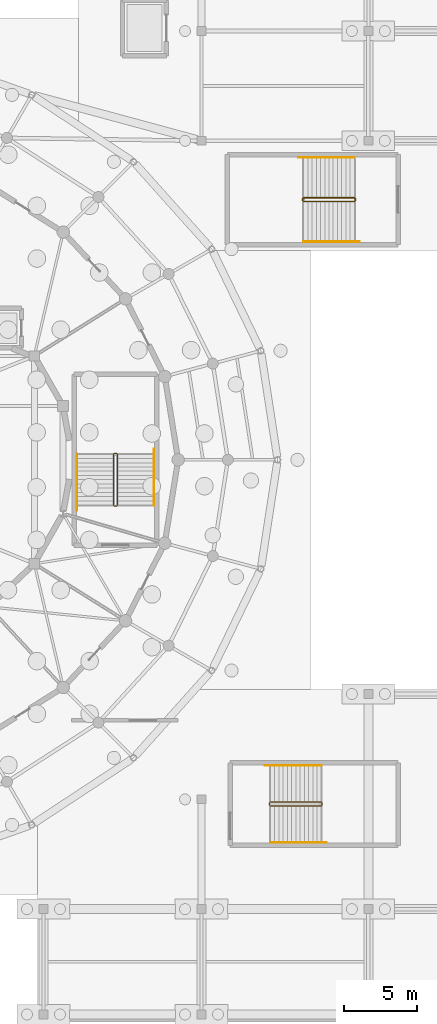
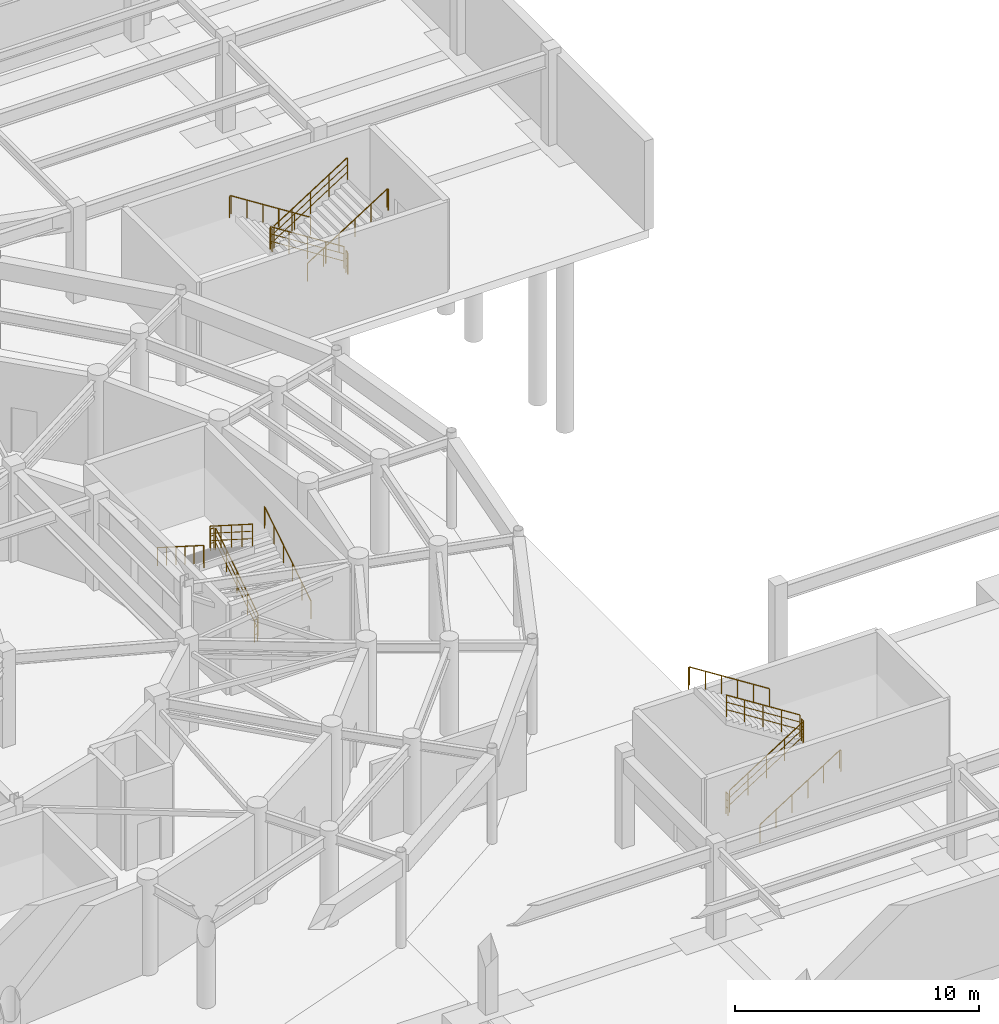
# One storey, part 66 of 68: 18 railings.
"""IFC4 building model written with IfcOpenShell, lengths in metres."""

from ifc_helpers import new_model, si_unit, direction, frame, origin, origin_2d, place, context, subcontext, project, spatial, circle, extrude, material, type_object, element, save


model = new_model("IFC4")

# Units and contexts
model_context = context("Model", 3, precision=1e-05, world=origin(), true_north=direction((0.0, 1.0)))
body_context = subcontext(model_context, "Body", "Model", "MODEL_VIEW")
ifc_project = project(units=[si_unit("LENGTHUNIT", "METRE"), si_unit("AREAUNIT", "SQUARE_METRE"), si_unit("VOLUMEUNIT", "CUBIC_METRE"), si_unit("PLANEANGLEUNIT", "RADIAN"), si_unit("MASSUNIT", "GRAM", prefix="KILO")], contexts=[model_context])

# Site, building, storey
site_placement = place(None, origin())
site = spatial("IfcSite", under=ifc_project, at=site_placement, CompositionType="ELEMENT")
building_placement = place(site_placement, origin())
building = spatial("IfcBuilding", under=site, at=building_placement, Name="Cinderbank Siding Concert Hall", CompositionType="ELEMENT")
storey_placement = place(building_placement, frame((0.0, 0.0, -4.800048828125)))
storey = spatial("IfcBuildingStorey", under=building, at=storey_placement, Name="B1", CompositionType="ELEMENT", Elevation=-4.800048828125)

# Railings
ifc_material = material(Name="Structural steel AS/NZS 3679.1 Grade 350 (340 MPa)", Category="steel")
railing_type_1 = type_object("IfcRailingType", Name="STG-01 Stair Well Guardrail 1120mm", PredefinedType="GUARDRAIL", material=ifc_material)
railing_1_placement = place(storey_placement, frame((144.64990234375, 40.89990234375, 0.1845703125)))
element("IfcRailing", 1, at=railing_1_placement, inside=storey, type_object=railing_type_1, Name="B1 ST-03 stair guard 1", PredefinedType="GUARDRAIL", context=body_context, shape_type="SweptSolid", body=[
    extrude(circle(Radius=0.02392578125, at=origin_2d()), frame((0.0, 0.0, 1.09619140625), z_axis=(0.0, 0.843546938479, 0.53705545578), x_axis=(-1.0, 0.0, 0.0)), (0.0, 0.0, 1.0), 4.12548828125),
    extrude(circle(Radius=0.01611328125, at=origin_2d()), frame((0.0, 0.0, 0.36962890625), z_axis=(0.0, 0.843546938479, 0.53705545578), x_axis=(-1.0, 0.0, 0.0)), (0.0, 0.0, 1.0), 4.12548828125),
    extrude(circle(Radius=0.01611328125, at=origin_2d()), frame((0.0, 0.0, 0.7392578125), z_axis=(0.0, 0.843546938479, 0.53705545578), x_axis=(-1.0, 0.0, 0.0)), (0.0, 0.0, 1.0), 4.12548828125),
    extrude(circle(Radius=0.02099609375, at=origin_2d()), origin(), (0.0, 0.0, 1.0), 1.072021484375),
    extrude(circle(Radius=0.02099609375, at=origin_2d()), frame((0.0, 0.8701171875, 0.553955078125)), (0.0, 0.0, 1.0), 1.072021484375),
    extrude(circle(Radius=0.02099609375, at=origin_2d()), frame((0.0, 1.739990234375, 1.10791015625)), (0.0, 0.0, 1.0), 1.072021484375),
    extrude(circle(Radius=0.02099609375, at=origin_2d()), frame((0.0, 2.60986328125, 1.66162109375)), (0.0, 0.0, 1.0), 1.072021484375),
    extrude(circle(Radius=0.02099609375, at=origin_2d()), frame((0.0, 3.47998046875, 2.215576171875)), (0.0, 0.0, 1.0), 1.072021484375),
])
railing_2_placement = place(storey_placement, frame((144.60009765625, 44.429931640625, 2.400146484375)))
element("IfcRailing", 2, at=railing_2_placement, inside=storey, type_object=railing_type_1, Name="B1 ST-03 stair guard 2", PredefinedType="GUARDRAIL", context=body_context, shape_type="SweptSolid", body=[
    extrude(circle(Radius=0.02392578125, at=origin_2d()), frame((0.0, 0.0, 1.09619140625), z_axis=(-1.0, 0.0, 0.0), x_axis=(0.0, -1.0, 0.0)), (0.0, 0.0, 1.0), 0.16015625),
    extrude(circle(Radius=0.01611328125, at=origin_2d()), frame((0.0, 0.0, 0.36962890625), z_axis=(-1.0, 0.0, 0.0), x_axis=(0.0, -1.0, 0.0)), (0.0, 0.0, 1.0), 0.16015625),
    extrude(circle(Radius=0.01611328125, at=origin_2d()), frame((0.0, 0.0, 0.7392578125), z_axis=(-1.0, 0.0, 0.0), x_axis=(0.0, -1.0, 0.0)), (0.0, 0.0, 1.0), 0.16015625),
    extrude(circle(Radius=0.02099609375, at=origin_2d()), origin(), (0.0, 0.0, 1.0), 1.072021484375),
    extrude(circle(Radius=0.02099609375, at=origin_2d()), frame((-0.16015625, 0.0, 0.0)), (0.0, 0.0, 1.0), 1.072021484375),
])
railing_3_placement = place(storey_placement, frame((144.389892578125, 44.3798828125, 2.584716796875)))
element("IfcRailing", 3, at=railing_3_placement, inside=storey, type_object=railing_type_1, Name="B1 ST-03 stair guard 3", PredefinedType="GUARDRAIL", context=body_context, shape_type="SweptSolid", body=[
    extrude(circle(Radius=0.02392578125, at=origin_2d()), frame((0.0, 0.0, 1.09619140625), z_axis=(0.0, -0.843573748531, 0.537013343214), x_axis=(1.0, 0.0, 0.0)), (0.0, 0.0, 1.0), 4.125244140625),
    extrude(circle(Radius=0.01611328125, at=origin_2d()), frame((0.0, 0.0, 0.36962890625), z_axis=(0.0, -0.843573748531, 0.537013343214), x_axis=(1.0, 0.0, 0.0)), (0.0, 0.0, 1.0), 4.125244140625),
    extrude(circle(Radius=0.01611328125, at=origin_2d()), frame((0.0, 0.0, 0.7392578125), z_axis=(0.0, -0.843573748531, 0.537013343214), x_axis=(1.0, 0.0, 0.0)), (0.0, 0.0, 1.0), 4.125244140625),
    extrude(circle(Radius=0.02099609375, at=origin_2d()), origin(), (0.0, 0.0, 1.0), 1.072021484375),
    extrude(circle(Radius=0.02099609375, at=origin_2d()), frame((0.0, -0.8701171875, 0.5537109375)), (0.0, 0.0, 1.0), 1.072021484375),
    extrude(circle(Radius=0.02099609375, at=origin_2d()), frame((0.0, -1.739990234375, 1.107666015625)), (0.0, 0.0, 1.0), 1.072021484375),
    extrude(circle(Radius=0.02099609375, at=origin_2d()), frame((0.0, -2.60986328125, 1.66162109375)), (0.0, 0.0, 1.0), 1.072021484375),
    extrude(circle(Radius=0.02099609375, at=origin_2d()), frame((0.0, -3.47998046875, 2.21533203125)), (0.0, 0.0, 1.0), 1.072021484375),
])
railing_4_placement = place(storey_placement, frame((144.60009765625, 40.85009765625, 0.0)))
element("IfcRailing", 4, at=railing_4_placement, inside=storey, type_object=railing_type_1, Name="B1 ST-03 stair guard 4", PredefinedType="GUARDRAIL", context=body_context, shape_type="SweptSolid", body=[
    extrude(circle(Radius=0.02392578125, at=origin_2d()), frame((0.0, 0.0, 1.09619140625), z_axis=(-1.0, 0.0, 0.0), x_axis=(0.0, -1.0, 0.0)), (0.0, 0.0, 1.0), 0.16015625),
    extrude(circle(Radius=0.01611328125, at=origin_2d()), frame((0.0, 0.0, 0.36962890625), z_axis=(-1.0, 0.0, 0.0), x_axis=(0.0, -1.0, 0.0)), (0.0, 0.0, 1.0), 0.16015625),
    extrude(circle(Radius=0.01611328125, at=origin_2d()), frame((0.0, 0.0, 0.7392578125), z_axis=(-1.0, 0.0, 0.0), x_axis=(0.0, -1.0, 0.0)), (0.0, 0.0, 1.0), 0.16015625),
    extrude(circle(Radius=0.02099609375, at=origin_2d()), origin(), (0.0, 0.0, 1.0), 1.072021484375),
    extrude(circle(Radius=0.02099609375, at=origin_2d()), frame((-0.16015625, 0.0, 0.0)), (0.0, 0.0, 1.0), 1.072021484375),
])
railing_5_placement = place(storey_placement, frame((155.10009765625, 20.35009765625, 0.1845703125)))
element("IfcRailing", 5, at=railing_5_placement, inside=storey, type_object=railing_type_1, Name="B1 ST-10 stair guard 1", PredefinedType="GUARDRAIL", context=body_context, shape_type="SweptSolid", body=[
    extrude(circle(Radius=0.02392578125, at=origin_2d()), frame((0.0, 0.0, 1.09619140625), z_axis=(0.843546938479, 0.0, 0.53705545578), x_axis=(0.0, 1.0, 0.0)), (0.0, 0.0, 1.0), 4.12548828125),
    extrude(circle(Radius=0.01611328125, at=origin_2d()), frame((0.0, 0.0, 0.36962890625), z_axis=(0.843546938479, 0.0, 0.53705545578), x_axis=(0.0, 1.0, 0.0)), (0.0, 0.0, 1.0), 4.12548828125),
    extrude(circle(Radius=0.01611328125, at=origin_2d()), frame((0.0, 0.0, 0.7392578125), z_axis=(0.843546938479, 0.0, 0.53705545578), x_axis=(0.0, 1.0, 0.0)), (0.0, 0.0, 1.0), 4.12548828125),
    extrude(circle(Radius=0.02099609375, at=origin_2d()), origin(), (0.0, 0.0, 1.0), 1.072021484375),
    extrude(circle(Radius=0.02099609375, at=origin_2d()), frame((0.8701171875, 0.0, 0.553955078125)), (0.0, 0.0, 1.0), 1.072021484375),
    extrude(circle(Radius=0.02099609375, at=origin_2d()), frame((1.739990234375, 0.0, 1.10791015625)), (0.0, 0.0, 1.0), 1.072021484375),
    extrude(circle(Radius=0.02099609375, at=origin_2d()), frame((2.60986328125, 0.0, 1.66162109375)), (0.0, 0.0, 1.0), 1.072021484375),
    extrude(circle(Radius=0.02099609375, at=origin_2d()), frame((3.47998046875, 0.0, 2.215576171875)), (0.0, 0.0, 1.0), 1.072021484375),
])
railing_6_placement = place(storey_placement, frame((158.6298828125, 20.39990234375, 2.400146484375)))
element("IfcRailing", 6, at=railing_6_placement, inside=storey, type_object=railing_type_1, Name="B1 ST-10 stair guard 2", PredefinedType="GUARDRAIL", context=body_context, shape_type="SweptSolid", body=[
    extrude(circle(Radius=0.02392578125, at=origin_2d()), frame((0.0, 0.0, 1.09619140625), z_axis=(0.0, 1.0, 0.0), x_axis=(-1.0, 0.0, 0.0)), (0.0, 0.0, 1.0), 0.16015625),
    extrude(circle(Radius=0.01611328125, at=origin_2d()), frame((0.0, 0.0, 0.36962890625), z_axis=(0.0, 1.0, 0.0), x_axis=(-1.0, 0.0, 0.0)), (0.0, 0.0, 1.0), 0.16015625),
    extrude(circle(Radius=0.01611328125, at=origin_2d()), frame((0.0, 0.0, 0.7392578125), z_axis=(0.0, 1.0, 0.0), x_axis=(-1.0, 0.0, 0.0)), (0.0, 0.0, 1.0), 0.16015625),
    extrude(circle(Radius=0.02099609375, at=origin_2d()), origin(), (0.0, 0.0, 1.0), 1.072021484375),
    extrude(circle(Radius=0.02099609375, at=origin_2d()), frame((0.0, 0.16015625, 0.0)), (0.0, 0.0, 1.0), 1.072021484375),
])
railing_7_placement = place(storey_placement, frame((158.580078125, 20.610107421875, 2.584716796875)))
element("IfcRailing", 7, at=railing_7_placement, inside=storey, type_object=railing_type_1, Name="B1 ST-10 stair guard 3", PredefinedType="GUARDRAIL", context=body_context, shape_type="SweptSolid", body=[
    extrude(circle(Radius=0.02392578125, at=origin_2d()), frame((0.0, 0.0, 1.09619140625), z_axis=(-0.843573748531, 0.0, 0.537013343214), x_axis=(0.0, -1.0, 0.0)), (0.0, 0.0, 1.0), 4.125244140625),
    extrude(circle(Radius=0.01611328125, at=origin_2d()), frame((0.0, 0.0, 0.36962890625), z_axis=(-0.843573748531, 0.0, 0.537013343214), x_axis=(0.0, -1.0, 0.0)), (0.0, 0.0, 1.0), 4.125244140625),
    extrude(circle(Radius=0.01611328125, at=origin_2d()), frame((0.0, 0.0, 0.7392578125), z_axis=(-0.843573748531, 0.0, 0.537013343214), x_axis=(0.0, -1.0, 0.0)), (0.0, 0.0, 1.0), 4.125244140625),
    extrude(circle(Radius=0.02099609375, at=origin_2d()), origin(), (0.0, 0.0, 1.0), 1.072021484375),
    extrude(circle(Radius=0.02099609375, at=origin_2d()), frame((-0.8701171875, 0.0, 0.5537109375)), (0.0, 0.0, 1.0), 1.072021484375),
    extrude(circle(Radius=0.02099609375, at=origin_2d()), frame((-1.739990234375, 0.0, 1.107666015625)), (0.0, 0.0, 1.0), 1.072021484375),
    extrude(circle(Radius=0.02099609375, at=origin_2d()), frame((-2.60986328125, 0.0, 1.66162109375)), (0.0, 0.0, 1.0), 1.072021484375),
    extrude(circle(Radius=0.02099609375, at=origin_2d()), frame((-3.47998046875, 0.0, 2.21533203125)), (0.0, 0.0, 1.0), 1.072021484375),
])
railing_8_placement = place(storey_placement, frame((155.050048828125, 20.39990234375, 0.0)))
element("IfcRailing", 8, at=railing_8_placement, inside=storey, type_object=railing_type_1, Name="B1 ST-10 stair guard 4", PredefinedType="GUARDRAIL", context=body_context, shape_type="SweptSolid", body=[
    extrude(circle(Radius=0.02392578125, at=origin_2d()), frame((0.0, 0.0, 1.09619140625), z_axis=(0.0, 1.0, 0.0), x_axis=(-1.0, 0.0, 0.0)), (0.0, 0.0, 1.0), 0.16015625),
    extrude(circle(Radius=0.01611328125, at=origin_2d()), frame((0.0, 0.0, 0.36962890625), z_axis=(0.0, 1.0, 0.0), x_axis=(-1.0, 0.0, 0.0)), (0.0, 0.0, 1.0), 0.16015625),
    extrude(circle(Radius=0.01611328125, at=origin_2d()), frame((0.0, 0.0, 0.7392578125), z_axis=(0.0, 1.0, 0.0), x_axis=(-1.0, 0.0, 0.0)), (0.0, 0.0, 1.0), 0.16015625),
    extrude(circle(Radius=0.02099609375, at=origin_2d()), origin(), (0.0, 0.0, 1.0), 1.072021484375),
    extrude(circle(Radius=0.02099609375, at=origin_2d()), frame((0.0, 0.16015625, 0.0)), (0.0, 0.0, 1.0), 1.072021484375),
])
railing_9_placement = place(storey_placement, frame((160.85009765625, 61.909912109375, 0.1845703125)))
element("IfcRailing", 9, at=railing_9_placement, inside=storey, type_object=railing_type_1, Name="B1 ST-12 stair guard 1", PredefinedType="GUARDRAIL", context=body_context, shape_type="SweptSolid", body=[
    extrude(circle(Radius=0.02392578125, at=origin_2d()), frame((0.0, 0.0, 1.09619140625), z_axis=(-0.843546938479, 0.0, 0.53705545578), x_axis=(0.0, -1.0, 0.0)), (0.0, 0.0, 1.0), 4.12548828125),
    extrude(circle(Radius=0.01611328125, at=origin_2d()), frame((0.0, 0.0, 0.36962890625), z_axis=(-0.843546938479, 0.0, 0.53705545578), x_axis=(0.0, -1.0, 0.0)), (0.0, 0.0, 1.0), 4.12548828125),
    extrude(circle(Radius=0.01611328125, at=origin_2d()), frame((0.0, 0.0, 0.7392578125), z_axis=(-0.843546938479, 0.0, 0.53705545578), x_axis=(0.0, -1.0, 0.0)), (0.0, 0.0, 1.0), 4.12548828125),
    extrude(circle(Radius=0.02099609375, at=origin_2d()), origin(), (0.0, 0.0, 1.0), 1.072021484375),
    extrude(circle(Radius=0.02099609375, at=origin_2d()), frame((-0.8701171875, 0.0, 0.553955078125)), (0.0, 0.0, 1.0), 1.072021484375),
    extrude(circle(Radius=0.02099609375, at=origin_2d()), frame((-1.739990234375, 0.0, 1.10791015625)), (0.0, 0.0, 1.0), 1.072021484375),
    extrude(circle(Radius=0.02099609375, at=origin_2d()), frame((-2.60986328125, 0.0, 1.66162109375)), (0.0, 0.0, 1.0), 1.072021484375),
    extrude(circle(Radius=0.02099609375, at=origin_2d()), frame((-3.47998046875, 0.0, 2.215576171875)), (0.0, 0.0, 1.0), 1.072021484375),
])
railing_10_placement = place(storey_placement, frame((157.320068359375, 61.860107421875, 2.400146484375)))
element("IfcRailing", 10, at=railing_10_placement, inside=storey, type_object=railing_type_1, Name="B1 ST-12 stair guard 2", PredefinedType="GUARDRAIL", context=body_context, shape_type="SweptSolid", body=[
    extrude(circle(Radius=0.02392578125, at=origin_2d()), frame((0.0, 0.0, 1.09619140625), z_axis=(0.0, -1.0, 0.0), x_axis=(1.0, 0.0, 0.0)), (0.0, 0.0, 1.0), 0.16015625),
    extrude(circle(Radius=0.01611328125, at=origin_2d()), frame((0.0, 0.0, 0.36962890625), z_axis=(0.0, -1.0, 0.0), x_axis=(1.0, 0.0, 0.0)), (0.0, 0.0, 1.0), 0.16015625),
    extrude(circle(Radius=0.01611328125, at=origin_2d()), frame((0.0, 0.0, 0.7392578125), z_axis=(0.0, -1.0, 0.0), x_axis=(1.0, 0.0, 0.0)), (0.0, 0.0, 1.0), 0.16015625),
    extrude(circle(Radius=0.02099609375, at=origin_2d()), origin(), (0.0, 0.0, 1.0), 1.072021484375),
    extrude(circle(Radius=0.02099609375, at=origin_2d()), frame((0.0, -0.16015625, 0.0)), (0.0, 0.0, 1.0), 1.072021484375),
])
railing_11_placement = place(storey_placement, frame((157.3701171875, 61.64990234375, 2.584716796875)))
element("IfcRailing", 11, at=railing_11_placement, inside=storey, type_object=railing_type_1, Name="B1 ST-12 stair guard 3", PredefinedType="GUARDRAIL", context=body_context, shape_type="SweptSolid", body=[
    extrude(circle(Radius=0.02392578125, at=origin_2d()), frame((0.0, 0.0, 1.09619140625), z_axis=(0.843573748531, 0.0, 0.537013343214), x_axis=(0.0, 1.0, 0.0)), (0.0, 0.0, 1.0), 4.125244140625),
    extrude(circle(Radius=0.01611328125, at=origin_2d()), frame((0.0, 0.0, 0.36962890625), z_axis=(0.843573748531, 0.0, 0.537013343214), x_axis=(0.0, 1.0, 0.0)), (0.0, 0.0, 1.0), 4.125244140625),
    extrude(circle(Radius=0.01611328125, at=origin_2d()), frame((0.0, 0.0, 0.7392578125), z_axis=(0.843573748531, 0.0, 0.537013343214), x_axis=(0.0, 1.0, 0.0)), (0.0, 0.0, 1.0), 4.125244140625),
    extrude(circle(Radius=0.02099609375, at=origin_2d()), origin(), (0.0, 0.0, 1.0), 1.072021484375),
    extrude(circle(Radius=0.02099609375, at=origin_2d()), frame((0.8701171875, 0.0, 0.5537109375)), (0.0, 0.0, 1.0), 1.072021484375),
    extrude(circle(Radius=0.02099609375, at=origin_2d()), frame((1.739990234375, 0.0, 1.107666015625)), (0.0, 0.0, 1.0), 1.072021484375),
    extrude(circle(Radius=0.02099609375, at=origin_2d()), frame((2.60986328125, 0.0, 1.66162109375)), (0.0, 0.0, 1.0), 1.072021484375),
    extrude(circle(Radius=0.02099609375, at=origin_2d()), frame((3.47998046875, 0.0, 2.21533203125)), (0.0, 0.0, 1.0), 1.072021484375),
])
railing_12_placement = place(storey_placement, frame((160.89990234375, 61.860107421875, 0.0)))
element("IfcRailing", 12, at=railing_12_placement, inside=storey, type_object=railing_type_1, Name="B1 ST-12 stair guard 4", PredefinedType="GUARDRAIL", context=body_context, shape_type="SweptSolid", body=[
    extrude(circle(Radius=0.02392578125, at=origin_2d()), frame((0.0, 0.0, 1.09619140625), z_axis=(0.0, -1.0, 0.0), x_axis=(1.0, 0.0, 0.0)), (0.0, 0.0, 1.0), 0.16015625),
    extrude(circle(Radius=0.01611328125, at=origin_2d()), frame((0.0, 0.0, 0.36962890625), z_axis=(0.0, -1.0, 0.0), x_axis=(1.0, 0.0, 0.0)), (0.0, 0.0, 1.0), 0.16015625),
    extrude(circle(Radius=0.01611328125, at=origin_2d()), frame((0.0, 0.0, 0.7392578125), z_axis=(0.0, -1.0, 0.0), x_axis=(1.0, 0.0, 0.0)), (0.0, 0.0, 1.0), 0.16015625),
    extrude(circle(Radius=0.02099609375, at=origin_2d()), origin(), (0.0, 0.0, 1.0), 1.072021484375),
    extrude(circle(Radius=0.02099609375, at=origin_2d()), frame((0.0, -0.16015625, 0.0)), (0.0, 0.0, 1.0), 1.072021484375),
])
railing_type_2 = type_object("IfcRailingType", Name="STH-01 Stair Pitch Handrail 920mm", PredefinedType="HANDRAIL", material=ifc_material)
railing_13_placement = place(storey_placement, frame((147.14990234375, 40.89990234375, 0.1845703125)))
element("IfcRailing", 13, at=railing_13_placement, inside=storey, type_object=railing_type_2, Name="B1 ST-03 stair handrail 1", PredefinedType="HANDRAIL", context=body_context, shape_type="SweptSolid", body=[
    extrude(circle(Radius=0.02392578125, at=origin_2d()), frame((0.0, 0.0, 0.89599609375), z_axis=(0.0, 0.843555751359, 0.537041613237), x_axis=(-1.0, 0.0, 0.0)), (0.0, 0.0, 1.0), 4.46923828125),
    extrude(circle(Radius=0.02392578125, at=origin_2d()), frame((0.0, 3.77001953125, 3.2958984375), z_axis=(0.0, 1.0, 0.0), x_axis=(-1.0, 0.0, 0.0)), (0.0, 0.0, 1.0), 0.06005859375),
    extrude(circle(Radius=0.02099609375, at=origin_2d()), origin(), (0.0, 0.0, 1.0), 0.871826171875),
    extrude(circle(Radius=0.02099609375, at=origin_2d()), frame((0.0, 0.75390625, 0.47998046875)), (0.0, 0.0, 1.0), 0.871826171875),
    extrude(circle(Radius=0.02099609375, at=origin_2d()), frame((0.0, 1.508056640625, 0.9599609375)), (0.0, 0.0, 1.0), 0.871826171875),
    extrude(circle(Radius=0.02099609375, at=origin_2d()), frame((0.0, 2.261962890625, 1.440185546875)), (0.0, 0.0, 1.0), 0.871826171875),
    extrude(circle(Radius=0.02099609375, at=origin_2d()), frame((0.0, 3.01611328125, 1.920166015625)), (0.0, 0.0, 1.0), 0.871826171875),
    extrude(circle(Radius=0.02099609375, at=origin_2d()), frame((0.0, 3.77001953125, 2.400146484375)), (0.0, 0.0, 1.0), 0.871826171875),
    extrude(circle(Radius=0.02099609375, at=origin_2d()), frame((0.0, 3.830078125, 2.215576171875)), (0.0, 0.0, 1.0), 1.056396484375),
])
railing_14_placement = place(storey_placement, frame((141.889892578125, 44.3798828125, 2.584716796875)))
element("IfcRailing", 14, at=railing_14_placement, inside=storey, type_object=railing_type_2, Name="B1 ST-03 stair handrail 2", PredefinedType="HANDRAIL", context=body_context, shape_type="SweptSolid", body=[
    extrude(circle(Radius=0.02392578125, at=origin_2d()), frame((0.0, 0.0, 0.89599609375), z_axis=(0.0, -0.843564744176, 0.537027487549), x_axis=(1.0, 0.0, 0.0)), (0.0, 0.0, 1.0), 4.46875),
    extrude(circle(Radius=0.02392578125, at=origin_2d()), frame((0.0, -3.769775390625, 3.2958984375), z_axis=(0.0, -1.0, 0.0), x_axis=(1.0, 0.0, 0.0)), (0.0, 0.0, 1.0), 0.06005859375),
    extrude(circle(Radius=0.02099609375, at=origin_2d()), origin(), (0.0, 0.0, 1.0), 0.871826171875),
    extrude(circle(Radius=0.02099609375, at=origin_2d()), frame((0.0, -0.75390625, 0.47998046875)), (0.0, 0.0, 1.0), 0.871826171875),
    extrude(circle(Radius=0.02099609375, at=origin_2d()), frame((0.0, -1.5078125, 0.9599609375)), (0.0, 0.0, 1.0), 0.871826171875),
    extrude(circle(Radius=0.02099609375, at=origin_2d()), frame((0.0, -2.261962890625, 1.43994140625)), (0.0, 0.0, 1.0), 0.871826171875),
    extrude(circle(Radius=0.02099609375, at=origin_2d()), frame((0.0, -3.015869140625, 1.919921875)), (0.0, 0.0, 1.0), 0.871826171875),
    extrude(circle(Radius=0.02099609375, at=origin_2d()), frame((0.0, -3.769775390625, 2.39990234375)), (0.0, 0.0, 1.0), 0.871826171875),
    extrude(circle(Radius=0.02099609375, at=origin_2d()), frame((0.0, -3.829833984375, 2.21533203125)), (0.0, 0.0, 1.0), 1.056396484375),
])
railing_15_placement = place(storey_placement, frame((155.10009765625, 17.85009765625, 0.1845703125)))
element("IfcRailing", 15, at=railing_15_placement, inside=storey, type_object=railing_type_2, Name="B1 ST-10 stair handrail 1", PredefinedType="HANDRAIL", context=body_context, shape_type="SweptSolid", body=[
    extrude(circle(Radius=0.02392578125, at=origin_2d()), frame((0.0, 0.0, 0.89599609375), z_axis=(0.843555751359, 0.0, 0.537041613237), x_axis=(0.0, 1.0, 0.0)), (0.0, 0.0, 1.0), 4.46923828125),
    extrude(circle(Radius=0.02392578125, at=origin_2d()), frame((3.77001953125, 0.0, 3.2958984375), z_axis=(1.0, 0.0, 0.0), x_axis=(0.0, 1.0, 0.0)), (0.0, 0.0, 1.0), 0.059814453125),
    extrude(circle(Radius=0.02099609375, at=origin_2d()), origin(), (0.0, 0.0, 1.0), 0.871826171875),
    extrude(circle(Radius=0.02099609375, at=origin_2d()), frame((0.75390625, 0.0, 0.47998046875)), (0.0, 0.0, 1.0), 0.871826171875),
    extrude(circle(Radius=0.02099609375, at=origin_2d()), frame((1.508056640625, 0.0, 0.9599609375)), (0.0, 0.0, 1.0), 0.871826171875),
    extrude(circle(Radius=0.02099609375, at=origin_2d()), frame((2.261962890625, 0.0, 1.440185546875)), (0.0, 0.0, 1.0), 0.871826171875),
    extrude(circle(Radius=0.02099609375, at=origin_2d()), frame((3.01611328125, 0.0, 1.920166015625)), (0.0, 0.0, 1.0), 0.871826171875),
    extrude(circle(Radius=0.02099609375, at=origin_2d()), frame((3.77001953125, 0.0, 2.400146484375)), (0.0, 0.0, 1.0), 0.871826171875),
    extrude(circle(Radius=0.02099609375, at=origin_2d()), frame((3.829833984375, 0.0, 2.215576171875)), (0.0, 0.0, 1.0), 1.056396484375),
])
railing_16_placement = place(storey_placement, frame((158.580078125, 23.110107421875, 2.584716796875)))
element("IfcRailing", 16, at=railing_16_placement, inside=storey, type_object=railing_type_2, Name="B1 ST-10 stair handrail 2", PredefinedType="HANDRAIL", context=body_context, shape_type="SweptSolid", body=[
    extrude(circle(Radius=0.02392578125, at=origin_2d()), frame((0.0, 0.0, 0.89599609375), z_axis=(-0.843580498726, 0.0, 0.537002739443), x_axis=(0.0, -1.0, 0.0)), (0.0, 0.0, 1.0), 4.468994140625),
    extrude(circle(Radius=0.02392578125, at=origin_2d()), frame((-3.77001953125, 0.0, 3.2958984375), z_axis=(-1.0, 0.0, 0.0), x_axis=(0.0, -1.0, 0.0)), (0.0, 0.0, 1.0), 0.06005859375),
    extrude(circle(Radius=0.02099609375, at=origin_2d()), origin(), (0.0, 0.0, 1.0), 0.871826171875),
    extrude(circle(Radius=0.02099609375, at=origin_2d()), frame((-0.75390625, 0.0, 0.47998046875)), (0.0, 0.0, 1.0), 0.871826171875),
    extrude(circle(Radius=0.02099609375, at=origin_2d()), frame((-1.508056640625, 0.0, 0.9599609375)), (0.0, 0.0, 1.0), 0.871826171875),
    extrude(circle(Radius=0.02099609375, at=origin_2d()), frame((-2.261962890625, 0.0, 1.43994140625)), (0.0, 0.0, 1.0), 0.871826171875),
    extrude(circle(Radius=0.02099609375, at=origin_2d()), frame((-3.01611328125, 0.0, 1.919921875)), (0.0, 0.0, 1.0), 0.871826171875),
    extrude(circle(Radius=0.02099609375, at=origin_2d()), frame((-3.77001953125, 0.0, 2.39990234375)), (0.0, 0.0, 1.0), 0.871826171875),
    extrude(circle(Radius=0.02099609375, at=origin_2d()), frame((-3.830078125, 0.0, 2.21533203125)), (0.0, 0.0, 1.0), 1.056396484375),
])
railing_17_placement = place(storey_placement, frame((160.85009765625, 64.659912109375, 0.1845703125)))
element("IfcRailing", 17, at=railing_17_placement, inside=storey, type_object=railing_type_2, Name="B1 ST-12 stair handrail 1", PredefinedType="HANDRAIL", context=body_context, shape_type="SweptSolid", body=[
    extrude(circle(Radius=0.02392578125, at=origin_2d()), frame((0.0, 0.0, 0.89599609375), z_axis=(-0.843555751359, 0.0, 0.537041613237), x_axis=(0.0, -1.0, 0.0)), (0.0, 0.0, 1.0), 4.46923828125),
    extrude(circle(Radius=0.02392578125, at=origin_2d()), frame((-3.77001953125, 0.0, 3.2958984375), z_axis=(-1.0, 0.0, 0.0), x_axis=(0.0, -1.0, 0.0)), (0.0, 0.0, 1.0), 0.06005859375),
    extrude(circle(Radius=0.02099609375, at=origin_2d()), origin(), (0.0, 0.0, 1.0), 0.871826171875),
    extrude(circle(Radius=0.02099609375, at=origin_2d()), frame((-0.75390625, 0.0, 0.47998046875)), (0.0, 0.0, 1.0), 0.871826171875),
    extrude(circle(Radius=0.02099609375, at=origin_2d()), frame((-1.508056640625, 0.0, 0.9599609375)), (0.0, 0.0, 1.0), 0.871826171875),
    extrude(circle(Radius=0.02099609375, at=origin_2d()), frame((-2.261962890625, 0.0, 1.440185546875)), (0.0, 0.0, 1.0), 0.871826171875),
    extrude(circle(Radius=0.02099609375, at=origin_2d()), frame((-3.01611328125, 0.0, 1.920166015625)), (0.0, 0.0, 1.0), 0.871826171875),
    extrude(circle(Radius=0.02099609375, at=origin_2d()), frame((-3.77001953125, 0.0, 2.400146484375)), (0.0, 0.0, 1.0), 0.871826171875),
    extrude(circle(Radius=0.02099609375, at=origin_2d()), frame((-3.830078125, 0.0, 2.215576171875)), (0.0, 0.0, 1.0), 1.056396484375),
])
railing_18_placement = place(storey_placement, frame((157.3701171875, 58.89990234375, 2.584716796875)))
element("IfcRailing", 18, at=railing_18_placement, inside=storey, type_object=railing_type_2, Name="B1 ST-12 stair handrail 2", PredefinedType="HANDRAIL", context=body_context, shape_type="SweptSolid", body=[
    extrude(circle(Radius=0.02392578125, at=origin_2d()), frame((0.0, 0.0, 0.89599609375), z_axis=(0.843564744176, 0.0, 0.537027487549), x_axis=(0.0, 1.0, 0.0)), (0.0, 0.0, 1.0), 4.46875),
    extrude(circle(Radius=0.02392578125, at=origin_2d()), frame((3.769775390625, 0.0, 3.2958984375), z_axis=(1.0, 0.0, 0.0), x_axis=(0.0, 1.0, 0.0)), (0.0, 0.0, 1.0), 0.06005859375),
    extrude(circle(Radius=0.02099609375, at=origin_2d()), origin(), (0.0, 0.0, 1.0), 0.871826171875),
    extrude(circle(Radius=0.02099609375, at=origin_2d()), frame((0.75390625, 0.0, 0.47998046875)), (0.0, 0.0, 1.0), 0.871826171875),
    extrude(circle(Radius=0.02099609375, at=origin_2d()), frame((1.5078125, 0.0, 0.9599609375)), (0.0, 0.0, 1.0), 0.871826171875),
    extrude(circle(Radius=0.02099609375, at=origin_2d()), frame((2.261962890625, 0.0, 1.43994140625)), (0.0, 0.0, 1.0), 0.871826171875),
    extrude(circle(Radius=0.02099609375, at=origin_2d()), frame((3.015869140625, 0.0, 1.919921875)), (0.0, 0.0, 1.0), 0.871826171875),
    extrude(circle(Radius=0.02099609375, at=origin_2d()), frame((3.769775390625, 0.0, 2.39990234375)), (0.0, 0.0, 1.0), 0.871826171875),
    extrude(circle(Radius=0.02099609375, at=origin_2d()), frame((3.829833984375, 0.0, 2.21533203125)), (0.0, 0.0, 1.0), 1.056396484375),
])

save(model, "model.ifc")
